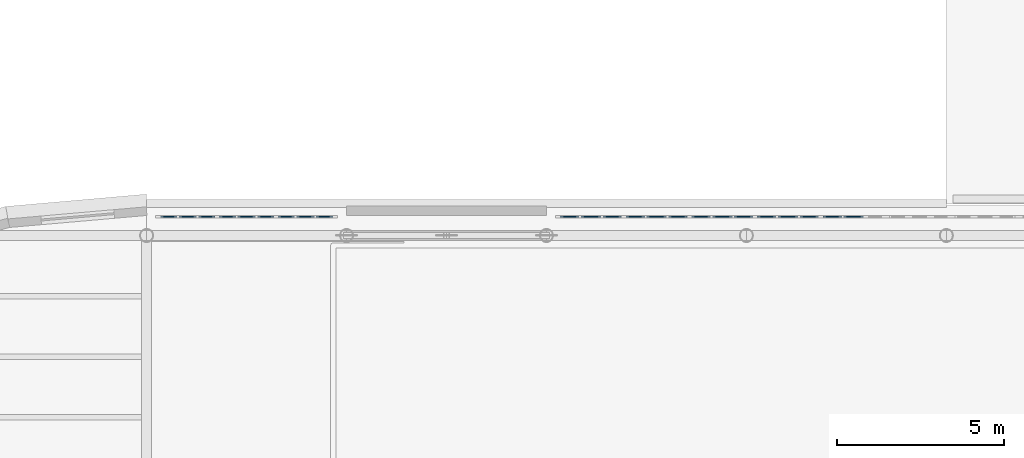
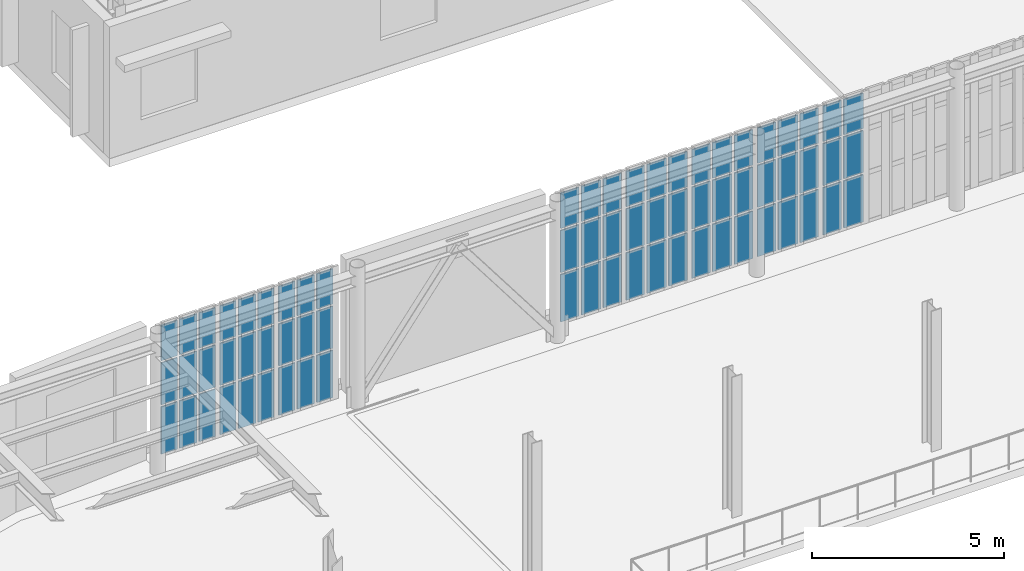
# One storey, part 53 of 91: 69 plates, 8 elements without a shape of their own.
"""IFC4 building model written with IfcOpenShell, lengths in metres."""

from ifc_helpers import new_model, si_unit, direction, frame, origin, origin_2d, place, context, subcontext, project, spatial, rectangle, extrude, material, layer, layer_set, type_object, element, aggregate, save


model = new_model("IFC4")

# Units and contexts
model_context = context("Model", 3, precision=1e-05, world=origin(), true_north=direction((0.0, 1.0)))
body_context = subcontext(model_context, "Body", "Model", "MODEL_VIEW")
ifc_project = project(units=[si_unit("LENGTHUNIT", "METRE"), si_unit("AREAUNIT", "SQUARE_METRE"), si_unit("VOLUMEUNIT", "CUBIC_METRE"), si_unit("PLANEANGLEUNIT", "RADIAN"), si_unit("MASSUNIT", "GRAM", prefix="KILO")], contexts=[model_context])

# Site, building, storey
site_placement = place(None, origin())
site = spatial("IfcSite", under=ifc_project, at=site_placement, CompositionType="ELEMENT")
building_placement = place(site_placement, origin())
building = spatial("IfcBuilding", under=site, at=building_placement, Name="Kolvaren Corner Interchange", CompositionType="ELEMENT")
storey_placement = place(building_placement, frame((0.0, 0.0, 6.0)))
storey = spatial("IfcBuildingStorey", under=building, at=storey_placement, Name="L02", CompositionType="ELEMENT", Elevation=6.0)

# Curtain wall, plates
ifc_material_1 = material(Name="Unitised Aluminium and Solar-Control Glass Curtain Wall", Category="aluminium")
curtain_wall_type = type_object("IfcCurtainWallType", Name="CW-V1-NORTH", PredefinedType="NOTDEFINED", material=ifc_material_1)
curtain_wall_1_placement = place(storey_placement, origin())
curtain_wall_1 = element("IfcCurtainWall", 1, at=curtain_wall_1_placement, inside=storey, type_object=curtain_wall_type, Name="North Concourse West Curtain Wall Bay 01", PredefinedType="NOTDEFINED")
ifc_material_2 = material(Name="Low-E Solar-Control Laminated Glass", Category="glass")
ifc_layer = layer(ifc_material_2, 0.035888671875)
ifc_layer_set = layer_set([ifc_layer], Name="Low-E Solar-Control Laminated Glass")
plate_type = type_object("IfcPlateType", Name="PLT-CW-GL32", PredefinedType="CURTAIN_PANEL", material=ifc_layer_set)
plate_1_placement = place(storey_placement, frame((65.338134765625, 71.659912109375, 0.06494140625), z_axis=(0.0, 0.0, 1.0), x_axis=(-1.0, 0.0, 0.0)))
plate_1 = element("IfcPlate", 2, at=plate_1_placement, type_object=plate_type, Name="CW-055 panel 1.1", PredefinedType="CURTAIN_PANEL", context=body_context, shape_type="SweptSolid", body=[
    extrude(rectangle(XDim=0.48388671875, YDim=0.035888671875, at=origin_2d()), origin(), (0.0, 0.0, 1.0), 1.50244140625),
])
plate_2_placement = place(storey_placement, frame((65.338134765625, 71.659912109375, 1.632568359375), z_axis=(0.0, 0.0, 1.0), x_axis=(-1.0, 0.0, 0.0)))
plate_2 = element("IfcPlate", 3, at=plate_2_placement, type_object=plate_type, Name="CW-055 panel 1.2", PredefinedType="CURTAIN_PANEL", context=body_context, shape_type="SweptSolid", body=[
    extrude(rectangle(XDim=0.48388671875, YDim=0.035888671875, at=origin_2d()), origin(), (0.0, 0.0, 1.0), 1.3349609375),
])
plate_3_placement = place(storey_placement, frame((65.338134765625, 71.659912109375, 3.032470703125), z_axis=(0.0, 0.0, 1.0), x_axis=(-1.0, 0.0, 0.0)))
plate_3 = element("IfcPlate", 4, at=plate_3_placement, type_object=plate_type, Name="CW-055 panel 1.3", PredefinedType="CURTAIN_PANEL", context=body_context, shape_type="SweptSolid", body=[
    extrude(rectangle(XDim=0.48388671875, YDim=0.035888671875, at=origin_2d()), origin(), (0.0, 0.0, 1.0), 1.12255859375),
])
plate_4_placement = place(storey_placement, frame((64.7666015625, 71.659912109375, 0.06494140625), z_axis=(0.0, 0.0, 1.0), x_axis=(-1.0, 0.0, 0.0)))
plate_4 = element("IfcPlate", 5, at=plate_4_placement, type_object=plate_type, Name="CW-055 panel 2.1", PredefinedType="CURTAIN_PANEL", context=body_context, shape_type="SweptSolid", body=[
    extrude(rectangle(XDim=0.518798828125, YDim=0.035888671875, at=origin_2d()), origin(), (0.0, 0.0, 1.0), 1.50244140625),
])
plate_5_placement = place(storey_placement, frame((64.7666015625, 71.659912109375, 1.632568359375), z_axis=(0.0, 0.0, 1.0), x_axis=(-1.0, 0.0, 0.0)))
plate_5 = element("IfcPlate", 6, at=plate_5_placement, type_object=plate_type, Name="CW-055 panel 2.2", PredefinedType="CURTAIN_PANEL", context=body_context, shape_type="SweptSolid", body=[
    extrude(rectangle(XDim=0.518798828125, YDim=0.035888671875, at=origin_2d()), origin(), (0.0, 0.0, 1.0), 1.3349609375),
])
plate_6_placement = place(storey_placement, frame((64.7666015625, 71.659912109375, 3.032470703125), z_axis=(0.0, 0.0, 1.0), x_axis=(-1.0, 0.0, 0.0)))
plate_6 = element("IfcPlate", 7, at=plate_6_placement, type_object=plate_type, Name="CW-055 panel 2.3", PredefinedType="CURTAIN_PANEL", context=body_context, shape_type="SweptSolid", body=[
    extrude(rectangle(XDim=0.518798828125, YDim=0.035888671875, at=origin_2d()), origin(), (0.0, 0.0, 1.0), 1.12255859375),
])
plate_7_placement = place(storey_placement, frame((64.1953125, 71.659912109375, 0.06494140625), z_axis=(0.0, 0.0, 1.0), x_axis=(-1.0, 0.0, 0.0)))
plate_7 = element("IfcPlate", 8, at=plate_7_placement, type_object=plate_type, Name="CW-055 panel 3.1", PredefinedType="CURTAIN_PANEL", context=body_context, shape_type="SweptSolid", body=[
    extrude(rectangle(XDim=0.48388671875, YDim=0.035888671875, at=origin_2d()), origin(), (0.0, 0.0, 1.0), 1.50244140625),
])
plate_8_placement = place(storey_placement, frame((64.1953125, 71.659912109375, 1.632568359375), z_axis=(0.0, 0.0, 1.0), x_axis=(-1.0, 0.0, 0.0)))
plate_8 = element("IfcPlate", 9, at=plate_8_placement, type_object=plate_type, Name="CW-055 panel 3.2", PredefinedType="CURTAIN_PANEL", context=body_context, shape_type="SweptSolid", body=[
    extrude(rectangle(XDim=0.48388671875, YDim=0.035888671875, at=origin_2d()), origin(), (0.0, 0.0, 1.0), 1.3349609375),
])
plate_9_placement = place(storey_placement, frame((64.1953125, 71.659912109375, 3.032470703125), z_axis=(0.0, 0.0, 1.0), x_axis=(-1.0, 0.0, 0.0)))
plate_9 = element("IfcPlate", 10, at=plate_9_placement, type_object=plate_type, Name="CW-055 panel 3.3", PredefinedType="CURTAIN_PANEL", context=body_context, shape_type="SweptSolid", body=[
    extrude(rectangle(XDim=0.48388671875, YDim=0.035888671875, at=origin_2d()), origin(), (0.0, 0.0, 1.0), 1.12255859375),
])
aggregate(curtain_wall_1, [plate_1, plate_2, plate_3, plate_4, plate_5, plate_6, plate_7, plate_8, plate_9])

curtain_wall_2_placement = place(storey_placement, origin())
curtain_wall_2 = element("IfcCurtainWall", 11, at=curtain_wall_2_placement, inside=storey, type_object=curtain_wall_type, Name="North Concourse West Curtain Wall Bay 02", PredefinedType="NOTDEFINED")
plate_10_placement = place(storey_placement, frame((63.5712890625, 71.659912109375, 0.06494140625), z_axis=(0.0, 0.0, 1.0), x_axis=(-1.0, 0.0, 0.0)))
plate_10 = element("IfcPlate", 12, at=plate_10_placement, type_object=plate_type, Name="CW-056 panel 1.1", PredefinedType="CURTAIN_PANEL", context=body_context, shape_type="SweptSolid", body=[
    extrude(rectangle(XDim=0.48388671875, YDim=0.035888671875, at=origin_2d()), origin(), (0.0, 0.0, 1.0), 1.50244140625),
])
plate_11_placement = place(storey_placement, frame((63.5712890625, 71.659912109375, 1.632568359375), z_axis=(0.0, 0.0, 1.0), x_axis=(-1.0, 0.0, 0.0)))
plate_11 = element("IfcPlate", 13, at=plate_11_placement, type_object=plate_type, Name="CW-056 panel 1.2", PredefinedType="CURTAIN_PANEL", context=body_context, shape_type="SweptSolid", body=[
    extrude(rectangle(XDim=0.48388671875, YDim=0.035888671875, at=origin_2d()), origin(), (0.0, 0.0, 1.0), 1.3349609375),
])
plate_12_placement = place(storey_placement, frame((63.5712890625, 71.659912109375, 3.032470703125), z_axis=(0.0, 0.0, 1.0), x_axis=(-1.0, 0.0, 0.0)))
plate_12 = element("IfcPlate", 14, at=plate_12_placement, type_object=plate_type, Name="CW-056 panel 1.3", PredefinedType="CURTAIN_PANEL", context=body_context, shape_type="SweptSolid", body=[
    extrude(rectangle(XDim=0.48388671875, YDim=0.035888671875, at=origin_2d()), origin(), (0.0, 0.0, 1.0), 1.12255859375),
])
plate_13_placement = place(storey_placement, frame((63.0, 71.659912109375, 0.06494140625), z_axis=(0.0, 0.0, 1.0), x_axis=(-1.0, 0.0, 0.0)))
plate_13 = element("IfcPlate", 15, at=plate_13_placement, type_object=plate_type, Name="CW-056 panel 2.1", PredefinedType="CURTAIN_PANEL", context=body_context, shape_type="SweptSolid", body=[
    extrude(rectangle(XDim=0.518798828125, YDim=0.035888671875, at=origin_2d()), origin(), (0.0, 0.0, 1.0), 1.50244140625),
])
plate_14_placement = place(storey_placement, frame((63.0, 71.659912109375, 1.632568359375), z_axis=(0.0, 0.0, 1.0), x_axis=(-1.0, 0.0, 0.0)))
plate_14 = element("IfcPlate", 16, at=plate_14_placement, type_object=plate_type, Name="CW-056 panel 2.2", PredefinedType="CURTAIN_PANEL", context=body_context, shape_type="SweptSolid", body=[
    extrude(rectangle(XDim=0.518798828125, YDim=0.035888671875, at=origin_2d()), origin(), (0.0, 0.0, 1.0), 1.3349609375),
])
plate_15_placement = place(storey_placement, frame((63.0, 71.659912109375, 3.032470703125), z_axis=(0.0, 0.0, 1.0), x_axis=(-1.0, 0.0, 0.0)))
plate_15 = element("IfcPlate", 17, at=plate_15_placement, type_object=plate_type, Name="CW-056 panel 2.3", PredefinedType="CURTAIN_PANEL", context=body_context, shape_type="SweptSolid", body=[
    extrude(rectangle(XDim=0.518798828125, YDim=0.035888671875, at=origin_2d()), origin(), (0.0, 0.0, 1.0), 1.12255859375),
])
plate_16_placement = place(storey_placement, frame((62.4287109375, 71.659912109375, 0.06494140625), z_axis=(0.0, 0.0, 1.0), x_axis=(-1.0, 0.0, 0.0)))
plate_16 = element("IfcPlate", 18, at=plate_16_placement, type_object=plate_type, Name="CW-056 panel 3.1", PredefinedType="CURTAIN_PANEL", context=body_context, shape_type="SweptSolid", body=[
    extrude(rectangle(XDim=0.48388671875, YDim=0.035888671875, at=origin_2d()), origin(), (0.0, 0.0, 1.0), 1.50244140625),
])
plate_17_placement = place(storey_placement, frame((62.4287109375, 71.659912109375, 1.632568359375), z_axis=(0.0, 0.0, 1.0), x_axis=(-1.0, 0.0, 0.0)))
plate_17 = element("IfcPlate", 19, at=plate_17_placement, type_object=plate_type, Name="CW-056 panel 3.2", PredefinedType="CURTAIN_PANEL", context=body_context, shape_type="SweptSolid", body=[
    extrude(rectangle(XDim=0.48388671875, YDim=0.035888671875, at=origin_2d()), origin(), (0.0, 0.0, 1.0), 1.3349609375),
])
plate_18_placement = place(storey_placement, frame((62.4287109375, 71.659912109375, 3.032470703125), z_axis=(0.0, 0.0, 1.0), x_axis=(-1.0, 0.0, 0.0)))
plate_18 = element("IfcPlate", 20, at=plate_18_placement, type_object=plate_type, Name="CW-056 panel 3.3", PredefinedType="CURTAIN_PANEL", context=body_context, shape_type="SweptSolid", body=[
    extrude(rectangle(XDim=0.48388671875, YDim=0.035888671875, at=origin_2d()), origin(), (0.0, 0.0, 1.0), 1.12255859375),
])
aggregate(curtain_wall_2, [plate_10, plate_11, plate_12, plate_13, plate_14, plate_15, plate_16, plate_17, plate_18])

curtain_wall_3_placement = place(storey_placement, origin())
curtain_wall_3 = element("IfcCurtainWall", 21, at=curtain_wall_3_placement, inside=storey, type_object=curtain_wall_type, Name="North Concourse West Curtain Wall Bay 03", PredefinedType="NOTDEFINED")
plate_19_placement = place(storey_placement, frame((61.8046875, 71.659912109375, 0.06494140625), z_axis=(0.0, 0.0, 1.0), x_axis=(-1.0, 0.0, 0.0)))
plate_19 = element("IfcPlate", 22, at=plate_19_placement, type_object=plate_type, Name="CW-057 panel 1.1", PredefinedType="CURTAIN_PANEL", context=body_context, shape_type="SweptSolid", body=[
    extrude(rectangle(XDim=0.48388671875, YDim=0.035888671875, at=origin_2d()), origin(), (0.0, 0.0, 1.0), 1.50244140625),
])
plate_20_placement = place(storey_placement, frame((61.8046875, 71.659912109375, 1.632568359375), z_axis=(0.0, 0.0, 1.0), x_axis=(-1.0, 0.0, 0.0)))
plate_20 = element("IfcPlate", 23, at=plate_20_placement, type_object=plate_type, Name="CW-057 panel 1.2", PredefinedType="CURTAIN_PANEL", context=body_context, shape_type="SweptSolid", body=[
    extrude(rectangle(XDim=0.48388671875, YDim=0.035888671875, at=origin_2d()), origin(), (0.0, 0.0, 1.0), 1.3349609375),
])
plate_21_placement = place(storey_placement, frame((61.8046875, 71.659912109375, 3.032470703125), z_axis=(0.0, 0.0, 1.0), x_axis=(-1.0, 0.0, 0.0)))
plate_21 = element("IfcPlate", 24, at=plate_21_placement, type_object=plate_type, Name="CW-057 panel 1.3", PredefinedType="CURTAIN_PANEL", context=body_context, shape_type="SweptSolid", body=[
    extrude(rectangle(XDim=0.48388671875, YDim=0.035888671875, at=origin_2d()), origin(), (0.0, 0.0, 1.0), 1.12255859375),
])
plate_22_placement = place(storey_placement, frame((61.2333984375, 71.659912109375, 0.06494140625), z_axis=(0.0, 0.0, 1.0), x_axis=(-1.0, 0.0, 0.0)))
plate_22 = element("IfcPlate", 25, at=plate_22_placement, type_object=plate_type, Name="CW-057 panel 2.1", PredefinedType="CURTAIN_PANEL", context=body_context, shape_type="SweptSolid", body=[
    extrude(rectangle(XDim=0.518798828125, YDim=0.035888671875, at=origin_2d()), origin(), (0.0, 0.0, 1.0), 1.50244140625),
])
plate_23_placement = place(storey_placement, frame((61.2333984375, 71.659912109375, 1.632568359375), z_axis=(0.0, 0.0, 1.0), x_axis=(-1.0, 0.0, 0.0)))
plate_23 = element("IfcPlate", 26, at=plate_23_placement, type_object=plate_type, Name="CW-057 panel 2.2", PredefinedType="CURTAIN_PANEL", context=body_context, shape_type="SweptSolid", body=[
    extrude(rectangle(XDim=0.518798828125, YDim=0.035888671875, at=origin_2d()), origin(), (0.0, 0.0, 1.0), 1.3349609375),
])
plate_24_placement = place(storey_placement, frame((61.2333984375, 71.659912109375, 3.032470703125), z_axis=(0.0, 0.0, 1.0), x_axis=(-1.0, 0.0, 0.0)))
plate_24 = element("IfcPlate", 27, at=plate_24_placement, type_object=plate_type, Name="CW-057 panel 2.3", PredefinedType="CURTAIN_PANEL", context=body_context, shape_type="SweptSolid", body=[
    extrude(rectangle(XDim=0.518798828125, YDim=0.035888671875, at=origin_2d()), origin(), (0.0, 0.0, 1.0), 1.12255859375),
])
plate_25_placement = place(storey_placement, frame((60.661865234375, 71.659912109375, 0.06494140625), z_axis=(0.0, 0.0, 1.0), x_axis=(-1.0, 0.0, 0.0)))
plate_25 = element("IfcPlate", 28, at=plate_25_placement, type_object=plate_type, Name="CW-057 panel 3.1", PredefinedType="CURTAIN_PANEL", context=body_context, shape_type="SweptSolid", body=[
    extrude(rectangle(XDim=0.48388671875, YDim=0.035888671875, at=origin_2d()), origin(), (0.0, 0.0, 1.0), 1.50244140625),
])
plate_26_placement = place(storey_placement, frame((60.661865234375, 71.659912109375, 1.632568359375), z_axis=(0.0, 0.0, 1.0), x_axis=(-1.0, 0.0, 0.0)))
plate_26 = element("IfcPlate", 29, at=plate_26_placement, type_object=plate_type, Name="CW-057 panel 3.2", PredefinedType="CURTAIN_PANEL", context=body_context, shape_type="SweptSolid", body=[
    extrude(rectangle(XDim=0.48388671875, YDim=0.035888671875, at=origin_2d()), origin(), (0.0, 0.0, 1.0), 1.3349609375),
])
plate_27_placement = place(storey_placement, frame((60.661865234375, 71.659912109375, 3.032470703125), z_axis=(0.0, 0.0, 1.0), x_axis=(-1.0, 0.0, 0.0)))
plate_27 = element("IfcPlate", 30, at=plate_27_placement, type_object=plate_type, Name="CW-057 panel 3.3", PredefinedType="CURTAIN_PANEL", context=body_context, shape_type="SweptSolid", body=[
    extrude(rectangle(XDim=0.48388671875, YDim=0.035888671875, at=origin_2d()), origin(), (0.0, 0.0, 1.0), 1.12255859375),
])
aggregate(curtain_wall_3, [plate_19, plate_20, plate_21, plate_22, plate_23, plate_24, plate_25, plate_26, plate_27])

curtain_wall_4_placement = place(storey_placement, origin())
curtain_wall_4 = element("IfcCurtainWall", 31, at=curtain_wall_4_placement, inside=storey, type_object=curtain_wall_type, Name="North Concourse Gallery Curtain Wall Bay 20", PredefinedType="NOTDEFINED")
plate_28_placement = place(storey_placement, frame((81.21875, 71.659912109375, 0.06494140625), z_axis=(0.0, 0.0, 1.0), x_axis=(-1.0, 0.0, 0.0)))
plate_28 = element("IfcPlate", 32, at=plate_28_placement, type_object=plate_type, Name="CW-077 panel 2.1", PredefinedType="CURTAIN_PANEL", context=body_context, shape_type="SweptSolid", body=[
    extrude(rectangle(XDim=0.5869140625, YDim=0.035888671875, at=origin_2d()), origin(), (0.0, 0.0, 1.0), 1.50244140625),
])
plate_29_placement = place(storey_placement, frame((81.21875, 71.659912109375, 1.632568359375), z_axis=(0.0, 0.0, 1.0), x_axis=(-1.0, 0.0, 0.0)))
plate_29 = element("IfcPlate", 33, at=plate_29_placement, type_object=plate_type, Name="CW-077 panel 2.2", PredefinedType="CURTAIN_PANEL", context=body_context, shape_type="SweptSolid", body=[
    extrude(rectangle(XDim=0.5869140625, YDim=0.035888671875, at=origin_2d()), origin(), (0.0, 0.0, 1.0), 1.3349609375),
])
plate_30_placement = place(storey_placement, frame((81.21875, 71.659912109375, 3.032470703125), z_axis=(0.0, 0.0, 1.0), x_axis=(-1.0, 0.0, 0.0)))
plate_30 = element("IfcPlate", 34, at=plate_30_placement, type_object=plate_type, Name="CW-077 panel 2.3", PredefinedType="CURTAIN_PANEL", context=body_context, shape_type="SweptSolid", body=[
    extrude(rectangle(XDim=0.5869140625, YDim=0.035888671875, at=origin_2d()), origin(), (0.0, 0.0, 1.0), 1.12255859375),
])
plate_31_placement = place(storey_placement, frame((80.579345703125, 71.659912109375, 0.06494140625), z_axis=(0.0, 0.0, 1.0), x_axis=(-1.0, 0.0, 0.0)))
plate_31 = element("IfcPlate", 35, at=plate_31_placement, type_object=plate_type, Name="CW-077 panel 3.1", PredefinedType="CURTAIN_PANEL", context=body_context, shape_type="SweptSolid", body=[
    extrude(rectangle(XDim=0.552001953125, YDim=0.035888671875, at=origin_2d()), origin(), (0.0, 0.0, 1.0), 1.50244140625),
])
plate_32_placement = place(storey_placement, frame((80.579345703125, 71.659912109375, 1.632568359375), z_axis=(0.0, 0.0, 1.0), x_axis=(-1.0, 0.0, 0.0)))
plate_32 = element("IfcPlate", 36, at=plate_32_placement, type_object=plate_type, Name="CW-077 panel 3.2", PredefinedType="CURTAIN_PANEL", context=body_context, shape_type="SweptSolid", body=[
    extrude(rectangle(XDim=0.552001953125, YDim=0.035888671875, at=origin_2d()), origin(), (0.0, 0.0, 1.0), 1.3349609375),
])
plate_33_placement = place(storey_placement, frame((80.579345703125, 71.659912109375, 3.032470703125), z_axis=(0.0, 0.0, 1.0), x_axis=(-1.0, 0.0, 0.0)))
plate_33 = element("IfcPlate", 37, at=plate_33_placement, type_object=plate_type, Name="CW-077 panel 3.3", PredefinedType="CURTAIN_PANEL", context=body_context, shape_type="SweptSolid", body=[
    extrude(rectangle(XDim=0.552001953125, YDim=0.035888671875, at=origin_2d()), origin(), (0.0, 0.0, 1.0), 1.12255859375),
])
aggregate(curtain_wall_4, [plate_28, plate_29, plate_30, plate_31, plate_32, plate_33])

curtain_wall_5_placement = place(storey_placement, origin())
curtain_wall_5 = element("IfcCurtainWall", 38, at=curtain_wall_5_placement, inside=storey, type_object=curtain_wall_type, Name="North Concourse Gallery Curtain Wall Bay 21", PredefinedType="NOTDEFINED")
plate_34_placement = place(storey_placement, frame((79.887451171875, 71.659912109375, 0.06494140625), z_axis=(0.0, 0.0, 1.0), x_axis=(-1.0, 0.0, 0.0)))
plate_34 = element("IfcPlate", 39, at=plate_34_placement, type_object=plate_type, Name="CW-078 panel 1.1", PredefinedType="CURTAIN_PANEL", context=body_context, shape_type="SweptSolid", body=[
    extrude(rectangle(XDim=0.552001953125, YDim=0.035888671875, at=origin_2d()), origin(), (0.0, 0.0, 1.0), 1.50244140625),
])
plate_35_placement = place(storey_placement, frame((79.887451171875, 71.659912109375, 1.632568359375), z_axis=(0.0, 0.0, 1.0), x_axis=(-1.0, 0.0, 0.0)))
plate_35 = element("IfcPlate", 40, at=plate_35_placement, type_object=plate_type, Name="CW-078 panel 1.2", PredefinedType="CURTAIN_PANEL", context=body_context, shape_type="SweptSolid", body=[
    extrude(rectangle(XDim=0.552001953125, YDim=0.035888671875, at=origin_2d()), origin(), (0.0, 0.0, 1.0), 1.3349609375),
])
plate_36_placement = place(storey_placement, frame((79.887451171875, 71.659912109375, 3.032470703125), z_axis=(0.0, 0.0, 1.0), x_axis=(-1.0, 0.0, 0.0)))
plate_36 = element("IfcPlate", 41, at=plate_36_placement, type_object=plate_type, Name="CW-078 panel 1.3", PredefinedType="CURTAIN_PANEL", context=body_context, shape_type="SweptSolid", body=[
    extrude(rectangle(XDim=0.552001953125, YDim=0.035888671875, at=origin_2d()), origin(), (0.0, 0.0, 1.0), 1.12255859375),
])
plate_37_placement = place(storey_placement, frame((79.247802734375, 71.659912109375, 0.06494140625), z_axis=(0.0, 0.0, 1.0), x_axis=(-1.0, 0.0, 0.0)))
plate_37 = element("IfcPlate", 42, at=plate_37_placement, type_object=plate_type, Name="CW-078 panel 2.1", PredefinedType="CURTAIN_PANEL", context=body_context, shape_type="SweptSolid", body=[
    extrude(rectangle(XDim=0.5869140625, YDim=0.035888671875, at=origin_2d()), origin(), (0.0, 0.0, 1.0), 1.50244140625),
])
plate_38_placement = place(storey_placement, frame((79.247802734375, 71.659912109375, 1.632568359375), z_axis=(0.0, 0.0, 1.0), x_axis=(-1.0, 0.0, 0.0)))
plate_38 = element("IfcPlate", 43, at=plate_38_placement, type_object=plate_type, Name="CW-078 panel 2.2", PredefinedType="CURTAIN_PANEL", context=body_context, shape_type="SweptSolid", body=[
    extrude(rectangle(XDim=0.5869140625, YDim=0.035888671875, at=origin_2d()), origin(), (0.0, 0.0, 1.0), 1.3349609375),
])
plate_39_placement = place(storey_placement, frame((79.247802734375, 71.659912109375, 3.032470703125), z_axis=(0.0, 0.0, 1.0), x_axis=(-1.0, 0.0, 0.0)))
plate_39 = element("IfcPlate", 44, at=plate_39_placement, type_object=plate_type, Name="CW-078 panel 2.3", PredefinedType="CURTAIN_PANEL", context=body_context, shape_type="SweptSolid", body=[
    extrude(rectangle(XDim=0.5869140625, YDim=0.035888671875, at=origin_2d()), origin(), (0.0, 0.0, 1.0), 1.12255859375),
])
plate_40_placement = place(storey_placement, frame((78.6083984375, 71.659912109375, 0.06494140625), z_axis=(0.0, 0.0, 1.0), x_axis=(-1.0, 0.0, 0.0)))
plate_40 = element("IfcPlate", 45, at=plate_40_placement, type_object=plate_type, Name="CW-078 panel 3.1", PredefinedType="CURTAIN_PANEL", context=body_context, shape_type="SweptSolid", body=[
    extrude(rectangle(XDim=0.552001953125, YDim=0.035888671875, at=origin_2d()), origin(), (0.0, 0.0, 1.0), 1.50244140625),
])
plate_41_placement = place(storey_placement, frame((78.6083984375, 71.659912109375, 1.632568359375), z_axis=(0.0, 0.0, 1.0), x_axis=(-1.0, 0.0, 0.0)))
plate_41 = element("IfcPlate", 46, at=plate_41_placement, type_object=plate_type, Name="CW-078 panel 3.2", PredefinedType="CURTAIN_PANEL", context=body_context, shape_type="SweptSolid", body=[
    extrude(rectangle(XDim=0.552001953125, YDim=0.035888671875, at=origin_2d()), origin(), (0.0, 0.0, 1.0), 1.3349609375),
])
plate_42_placement = place(storey_placement, frame((78.6083984375, 71.659912109375, 3.032470703125), z_axis=(0.0, 0.0, 1.0), x_axis=(-1.0, 0.0, 0.0)))
plate_42 = element("IfcPlate", 47, at=plate_42_placement, type_object=plate_type, Name="CW-078 panel 3.3", PredefinedType="CURTAIN_PANEL", context=body_context, shape_type="SweptSolid", body=[
    extrude(rectangle(XDim=0.552001953125, YDim=0.035888671875, at=origin_2d()), origin(), (0.0, 0.0, 1.0), 1.12255859375),
])
aggregate(curtain_wall_5, [plate_34, plate_35, plate_36, plate_37, plate_38, plate_39, plate_40, plate_41, plate_42])

curtain_wall_6_placement = place(storey_placement, origin())
curtain_wall_6 = element("IfcCurtainWall", 48, at=curtain_wall_6_placement, inside=storey, type_object=curtain_wall_type, Name="North Concourse Gallery Curtain Wall Bay 22", PredefinedType="NOTDEFINED")
plate_43_placement = place(storey_placement, frame((77.91650390625, 71.659912109375, 0.06494140625), z_axis=(0.0, 0.0, 1.0), x_axis=(-1.0, 0.0, 0.0)))
plate_43 = element("IfcPlate", 49, at=plate_43_placement, type_object=plate_type, Name="CW-079 panel 1.1", PredefinedType="CURTAIN_PANEL", context=body_context, shape_type="SweptSolid", body=[
    extrude(rectangle(XDim=0.552001953125, YDim=0.035888671875, at=origin_2d()), origin(), (0.0, 0.0, 1.0), 1.50244140625),
])
plate_44_placement = place(storey_placement, frame((77.91650390625, 71.659912109375, 1.632568359375), z_axis=(0.0, 0.0, 1.0), x_axis=(-1.0, 0.0, 0.0)))
plate_44 = element("IfcPlate", 50, at=plate_44_placement, type_object=plate_type, Name="CW-079 panel 1.2", PredefinedType="CURTAIN_PANEL", context=body_context, shape_type="SweptSolid", body=[
    extrude(rectangle(XDim=0.552001953125, YDim=0.035888671875, at=origin_2d()), origin(), (0.0, 0.0, 1.0), 1.3349609375),
])
plate_45_placement = place(storey_placement, frame((77.91650390625, 71.659912109375, 3.032470703125), z_axis=(0.0, 0.0, 1.0), x_axis=(-1.0, 0.0, 0.0)))
plate_45 = element("IfcPlate", 51, at=plate_45_placement, type_object=plate_type, Name="CW-079 panel 1.3", PredefinedType="CURTAIN_PANEL", context=body_context, shape_type="SweptSolid", body=[
    extrude(rectangle(XDim=0.552001953125, YDim=0.035888671875, at=origin_2d()), origin(), (0.0, 0.0, 1.0), 1.12255859375),
])
plate_46_placement = place(storey_placement, frame((77.277099609375, 71.659912109375, 0.06494140625), z_axis=(0.0, 0.0, 1.0), x_axis=(-1.0, 0.0, 0.0)))
plate_46 = element("IfcPlate", 52, at=plate_46_placement, type_object=plate_type, Name="CW-079 panel 2.1", PredefinedType="CURTAIN_PANEL", context=body_context, shape_type="SweptSolid", body=[
    extrude(rectangle(XDim=0.5869140625, YDim=0.035888671875, at=origin_2d()), origin(), (0.0, 0.0, 1.0), 1.50244140625),
])
plate_47_placement = place(storey_placement, frame((77.277099609375, 71.659912109375, 1.632568359375), z_axis=(0.0, 0.0, 1.0), x_axis=(-1.0, 0.0, 0.0)))
plate_47 = element("IfcPlate", 53, at=plate_47_placement, type_object=plate_type, Name="CW-079 panel 2.2", PredefinedType="CURTAIN_PANEL", context=body_context, shape_type="SweptSolid", body=[
    extrude(rectangle(XDim=0.5869140625, YDim=0.035888671875, at=origin_2d()), origin(), (0.0, 0.0, 1.0), 1.3349609375),
])
plate_48_placement = place(storey_placement, frame((77.277099609375, 71.659912109375, 3.032470703125), z_axis=(0.0, 0.0, 1.0), x_axis=(-1.0, 0.0, 0.0)))
plate_48 = element("IfcPlate", 54, at=plate_48_placement, type_object=plate_type, Name="CW-079 panel 2.3", PredefinedType="CURTAIN_PANEL", context=body_context, shape_type="SweptSolid", body=[
    extrude(rectangle(XDim=0.5869140625, YDim=0.035888671875, at=origin_2d()), origin(), (0.0, 0.0, 1.0), 1.12255859375),
])
plate_49_placement = place(storey_placement, frame((76.6376953125, 71.659912109375, 0.06494140625), z_axis=(0.0, 0.0, 1.0), x_axis=(-1.0, 0.0, 0.0)))
plate_49 = element("IfcPlate", 55, at=plate_49_placement, type_object=plate_type, Name="CW-079 panel 3.1", PredefinedType="CURTAIN_PANEL", context=body_context, shape_type="SweptSolid", body=[
    extrude(rectangle(XDim=0.552001953125, YDim=0.035888671875, at=origin_2d()), origin(), (0.0, 0.0, 1.0), 1.50244140625),
])
plate_50_placement = place(storey_placement, frame((76.6376953125, 71.659912109375, 1.632568359375), z_axis=(0.0, 0.0, 1.0), x_axis=(-1.0, 0.0, 0.0)))
plate_50 = element("IfcPlate", 56, at=plate_50_placement, type_object=plate_type, Name="CW-079 panel 3.2", PredefinedType="CURTAIN_PANEL", context=body_context, shape_type="SweptSolid", body=[
    extrude(rectangle(XDim=0.552001953125, YDim=0.035888671875, at=origin_2d()), origin(), (0.0, 0.0, 1.0), 1.3349609375),
])
plate_51_placement = place(storey_placement, frame((76.6376953125, 71.659912109375, 3.032470703125), z_axis=(0.0, 0.0, 1.0), x_axis=(-1.0, 0.0, 0.0)))
plate_51 = element("IfcPlate", 57, at=plate_51_placement, type_object=plate_type, Name="CW-079 panel 3.3", PredefinedType="CURTAIN_PANEL", context=body_context, shape_type="SweptSolid", body=[
    extrude(rectangle(XDim=0.552001953125, YDim=0.035888671875, at=origin_2d()), origin(), (0.0, 0.0, 1.0), 1.12255859375),
])
aggregate(curtain_wall_6, [plate_43, plate_44, plate_45, plate_46, plate_47, plate_48, plate_49, plate_50, plate_51])

curtain_wall_7_placement = place(storey_placement, origin())
curtain_wall_7 = element("IfcCurtainWall", 58, at=curtain_wall_7_placement, inside=storey, type_object=curtain_wall_type, Name="North Concourse Gallery Curtain Wall Bay 23", PredefinedType="NOTDEFINED")
plate_52_placement = place(storey_placement, frame((75.94580078125, 71.659912109375, 0.06494140625), z_axis=(0.0, 0.0, 1.0), x_axis=(-1.0, 0.0, 0.0)))
plate_52 = element("IfcPlate", 59, at=plate_52_placement, type_object=plate_type, Name="CW-080 panel 1.1", PredefinedType="CURTAIN_PANEL", context=body_context, shape_type="SweptSolid", body=[
    extrude(rectangle(XDim=0.552001953125, YDim=0.035888671875, at=origin_2d()), origin(), (0.0, 0.0, 1.0), 1.50244140625),
])
plate_53_placement = place(storey_placement, frame((75.94580078125, 71.659912109375, 1.632568359375), z_axis=(0.0, 0.0, 1.0), x_axis=(-1.0, 0.0, 0.0)))
plate_53 = element("IfcPlate", 60, at=plate_53_placement, type_object=plate_type, Name="CW-080 panel 1.2", PredefinedType="CURTAIN_PANEL", context=body_context, shape_type="SweptSolid", body=[
    extrude(rectangle(XDim=0.552001953125, YDim=0.035888671875, at=origin_2d()), origin(), (0.0, 0.0, 1.0), 1.3349609375),
])
plate_54_placement = place(storey_placement, frame((75.94580078125, 71.659912109375, 3.032470703125), z_axis=(0.0, 0.0, 1.0), x_axis=(-1.0, 0.0, 0.0)))
plate_54 = element("IfcPlate", 61, at=plate_54_placement, type_object=plate_type, Name="CW-080 panel 1.3", PredefinedType="CURTAIN_PANEL", context=body_context, shape_type="SweptSolid", body=[
    extrude(rectangle(XDim=0.552001953125, YDim=0.035888671875, at=origin_2d()), origin(), (0.0, 0.0, 1.0), 1.12255859375),
])
plate_55_placement = place(storey_placement, frame((75.30615234375, 71.659912109375, 0.06494140625), z_axis=(0.0, 0.0, 1.0), x_axis=(-1.0, 0.0, 0.0)))
plate_55 = element("IfcPlate", 62, at=plate_55_placement, type_object=plate_type, Name="CW-080 panel 2.1", PredefinedType="CURTAIN_PANEL", context=body_context, shape_type="SweptSolid", body=[
    extrude(rectangle(XDim=0.5869140625, YDim=0.035888671875, at=origin_2d()), origin(), (0.0, 0.0, 1.0), 1.50244140625),
])
plate_56_placement = place(storey_placement, frame((75.30615234375, 71.659912109375, 1.632568359375), z_axis=(0.0, 0.0, 1.0), x_axis=(-1.0, 0.0, 0.0)))
plate_56 = element("IfcPlate", 63, at=plate_56_placement, type_object=plate_type, Name="CW-080 panel 2.2", PredefinedType="CURTAIN_PANEL", context=body_context, shape_type="SweptSolid", body=[
    extrude(rectangle(XDim=0.5869140625, YDim=0.035888671875, at=origin_2d()), origin(), (0.0, 0.0, 1.0), 1.3349609375),
])
plate_57_placement = place(storey_placement, frame((75.30615234375, 71.659912109375, 3.032470703125), z_axis=(0.0, 0.0, 1.0), x_axis=(-1.0, 0.0, 0.0)))
plate_57 = element("IfcPlate", 64, at=plate_57_placement, type_object=plate_type, Name="CW-080 panel 2.3", PredefinedType="CURTAIN_PANEL", context=body_context, shape_type="SweptSolid", body=[
    extrude(rectangle(XDim=0.5869140625, YDim=0.035888671875, at=origin_2d()), origin(), (0.0, 0.0, 1.0), 1.12255859375),
])
plate_58_placement = place(storey_placement, frame((74.666748046875, 71.659912109375, 0.06494140625), z_axis=(0.0, 0.0, 1.0), x_axis=(-1.0, 0.0, 0.0)))
plate_58 = element("IfcPlate", 65, at=plate_58_placement, type_object=plate_type, Name="CW-080 panel 3.1", PredefinedType="CURTAIN_PANEL", context=body_context, shape_type="SweptSolid", body=[
    extrude(rectangle(XDim=0.552001953125, YDim=0.035888671875, at=origin_2d()), origin(), (0.0, 0.0, 1.0), 1.50244140625),
])
plate_59_placement = place(storey_placement, frame((74.666748046875, 71.659912109375, 1.632568359375), z_axis=(0.0, 0.0, 1.0), x_axis=(-1.0, 0.0, 0.0)))
plate_59 = element("IfcPlate", 66, at=plate_59_placement, type_object=plate_type, Name="CW-080 panel 3.2", PredefinedType="CURTAIN_PANEL", context=body_context, shape_type="SweptSolid", body=[
    extrude(rectangle(XDim=0.552001953125, YDim=0.035888671875, at=origin_2d()), origin(), (0.0, 0.0, 1.0), 1.3349609375),
])
plate_60_placement = place(storey_placement, frame((74.666748046875, 71.659912109375, 3.032470703125), z_axis=(0.0, 0.0, 1.0), x_axis=(-1.0, 0.0, 0.0)))
plate_60 = element("IfcPlate", 67, at=plate_60_placement, type_object=plate_type, Name="CW-080 panel 3.3", PredefinedType="CURTAIN_PANEL", context=body_context, shape_type="SweptSolid", body=[
    extrude(rectangle(XDim=0.552001953125, YDim=0.035888671875, at=origin_2d()), origin(), (0.0, 0.0, 1.0), 1.12255859375),
])
aggregate(curtain_wall_7, [plate_52, plate_53, plate_54, plate_55, plate_56, plate_57, plate_58, plate_59, plate_60])

curtain_wall_8_placement = place(storey_placement, origin())
curtain_wall_8 = element("IfcCurtainWall", 68, at=curtain_wall_8_placement, inside=storey, type_object=curtain_wall_type, Name="North Concourse Gallery Curtain Wall Bay 24", PredefinedType="NOTDEFINED")
plate_61_placement = place(storey_placement, frame((73.974853515625, 71.659912109375, 0.06494140625), z_axis=(0.0, 0.0, 1.0), x_axis=(-1.0, 0.0, 0.0)))
plate_61 = element("IfcPlate", 69, at=plate_61_placement, type_object=plate_type, Name="CW-081 panel 1.1", PredefinedType="CURTAIN_PANEL", context=body_context, shape_type="SweptSolid", body=[
    extrude(rectangle(XDim=0.552001953125, YDim=0.035888671875, at=origin_2d()), origin(), (0.0, 0.0, 1.0), 1.50244140625),
])
plate_62_placement = place(storey_placement, frame((73.974853515625, 71.659912109375, 1.632568359375), z_axis=(0.0, 0.0, 1.0), x_axis=(-1.0, 0.0, 0.0)))
plate_62 = element("IfcPlate", 70, at=plate_62_placement, type_object=plate_type, Name="CW-081 panel 1.2", PredefinedType="CURTAIN_PANEL", context=body_context, shape_type="SweptSolid", body=[
    extrude(rectangle(XDim=0.552001953125, YDim=0.035888671875, at=origin_2d()), origin(), (0.0, 0.0, 1.0), 1.3349609375),
])
plate_63_placement = place(storey_placement, frame((73.974853515625, 71.659912109375, 3.032470703125), z_axis=(0.0, 0.0, 1.0), x_axis=(-1.0, 0.0, 0.0)))
plate_63 = element("IfcPlate", 71, at=plate_63_placement, type_object=plate_type, Name="CW-081 panel 1.3", PredefinedType="CURTAIN_PANEL", context=body_context, shape_type="SweptSolid", body=[
    extrude(rectangle(XDim=0.552001953125, YDim=0.035888671875, at=origin_2d()), origin(), (0.0, 0.0, 1.0), 1.12255859375),
])
plate_64_placement = place(storey_placement, frame((73.33544921875, 71.659912109375, 0.06494140625), z_axis=(0.0, 0.0, 1.0), x_axis=(-1.0, 0.0, 0.0)))
plate_64 = element("IfcPlate", 72, at=plate_64_placement, type_object=plate_type, Name="CW-081 panel 2.1", PredefinedType="CURTAIN_PANEL", context=body_context, shape_type="SweptSolid", body=[
    extrude(rectangle(XDim=0.5869140625, YDim=0.035888671875, at=origin_2d()), origin(), (0.0, 0.0, 1.0), 1.50244140625),
])
plate_65_placement = place(storey_placement, frame((73.33544921875, 71.659912109375, 1.632568359375), z_axis=(0.0, 0.0, 1.0), x_axis=(-1.0, 0.0, 0.0)))
plate_65 = element("IfcPlate", 73, at=plate_65_placement, type_object=plate_type, Name="CW-081 panel 2.2", PredefinedType="CURTAIN_PANEL", context=body_context, shape_type="SweptSolid", body=[
    extrude(rectangle(XDim=0.5869140625, YDim=0.035888671875, at=origin_2d()), origin(), (0.0, 0.0, 1.0), 1.3349609375),
])
plate_66_placement = place(storey_placement, frame((73.33544921875, 71.659912109375, 3.032470703125), z_axis=(0.0, 0.0, 1.0), x_axis=(-1.0, 0.0, 0.0)))
plate_66 = element("IfcPlate", 74, at=plate_66_placement, type_object=plate_type, Name="CW-081 panel 2.3", PredefinedType="CURTAIN_PANEL", context=body_context, shape_type="SweptSolid", body=[
    extrude(rectangle(XDim=0.5869140625, YDim=0.035888671875, at=origin_2d()), origin(), (0.0, 0.0, 1.0), 1.12255859375),
])
plate_67_placement = place(storey_placement, frame((72.696044921875, 71.659912109375, 0.06494140625), z_axis=(0.0, 0.0, 1.0), x_axis=(-1.0, 0.0, 0.0)))
plate_67 = element("IfcPlate", 75, at=plate_67_placement, type_object=plate_type, Name="CW-081 panel 3.1", PredefinedType="CURTAIN_PANEL", context=body_context, shape_type="SweptSolid", body=[
    extrude(rectangle(XDim=0.552001953125, YDim=0.035888671875, at=origin_2d()), origin(), (0.0, 0.0, 1.0), 1.50244140625),
])
plate_68_placement = place(storey_placement, frame((72.696044921875, 71.659912109375, 1.632568359375), z_axis=(0.0, 0.0, 1.0), x_axis=(-1.0, 0.0, 0.0)))
plate_68 = element("IfcPlate", 76, at=plate_68_placement, type_object=plate_type, Name="CW-081 panel 3.2", PredefinedType="CURTAIN_PANEL", context=body_context, shape_type="SweptSolid", body=[
    extrude(rectangle(XDim=0.552001953125, YDim=0.035888671875, at=origin_2d()), origin(), (0.0, 0.0, 1.0), 1.3349609375),
])
plate_69_placement = place(storey_placement, frame((72.696044921875, 71.659912109375, 3.032470703125), z_axis=(0.0, 0.0, 1.0), x_axis=(-1.0, 0.0, 0.0)))
plate_69 = element("IfcPlate", 77, at=plate_69_placement, type_object=plate_type, Name="CW-081 panel 3.3", PredefinedType="CURTAIN_PANEL", context=body_context, shape_type="SweptSolid", body=[
    extrude(rectangle(XDim=0.552001953125, YDim=0.035888671875, at=origin_2d()), origin(), (0.0, 0.0, 1.0), 1.12255859375),
])
aggregate(curtain_wall_8, [plate_61, plate_62, plate_63, plate_64, plate_65, plate_66, plate_67, plate_68, plate_69])

save(model, "model.ifc")
